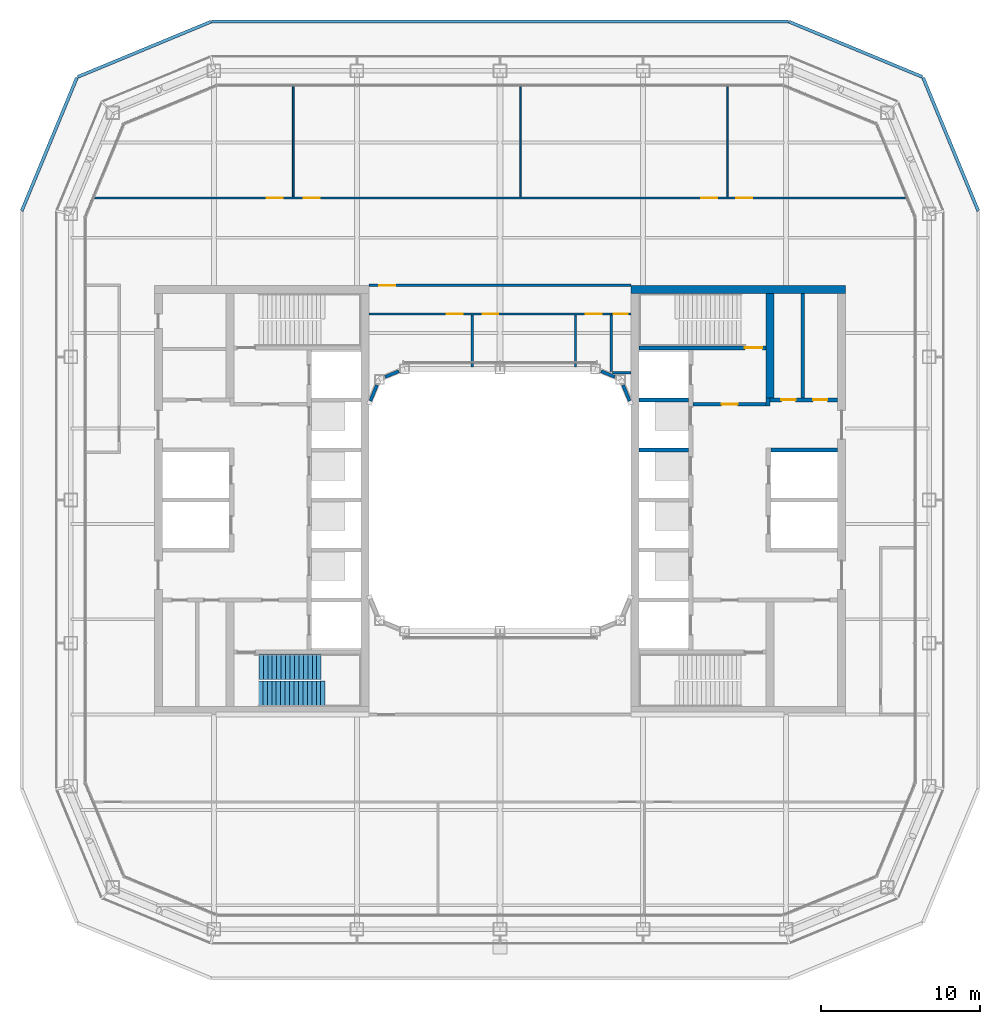
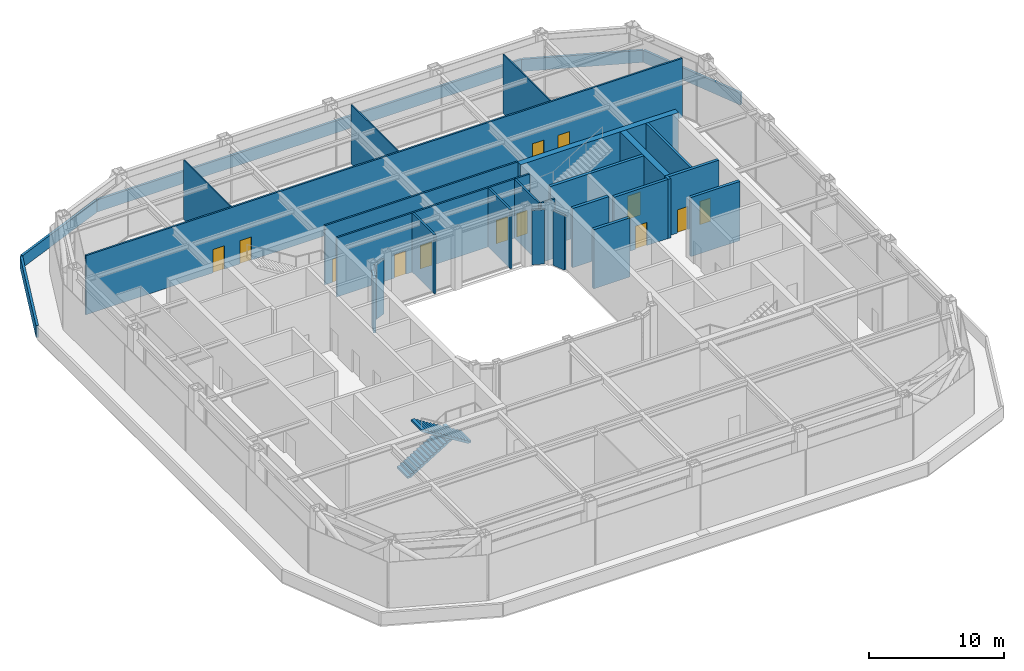
# One storey, part 13 of 19: 30 walls, 13 doors, 2 stair flights, 13 openings, 1 element without a shape of its own.
"""IFC4 building model written with IfcOpenShell, lengths in metres."""

from ifc_helpers import new_model, si_unit, direction, frame, frame_2d, origin, place, context, subcontext, project, spatial, polyline, rectangle, outline, extrude, material, layer, layer_set, type_object, element, fill, aggregate, save


model = new_model("IFC4")

# Units and contexts
model_context = context("Model", 3, precision=1e-05, world=origin(), true_north=direction((0.0, 1.0)))
body_context = subcontext(model_context, "Body", "Model", "MODEL_VIEW")
ifc_project = project(units=[si_unit("LENGTHUNIT", "METRE"), si_unit("AREAUNIT", "SQUARE_METRE"), si_unit("VOLUMEUNIT", "CUBIC_METRE"), si_unit("PLANEANGLEUNIT", "RADIAN"), si_unit("MASSUNIT", "GRAM", prefix="KILO")], contexts=[model_context])

# Site, building, storey
site_placement = place(None, origin())
site = spatial("IfcSite", under=ifc_project, at=site_placement, CompositionType="ELEMENT")
building_placement = place(site_placement, origin())
building = spatial("IfcBuilding", under=site, at=building_placement, Name="Siwar Civic Tower", CompositionType="ELEMENT")
storey_placement = place(building_placement, frame((0.0, 0.0, 187.199951171875)))
storey = spatial("IfcBuildingStorey", under=building, at=storey_placement, Name="L40", CompositionType="ELEMENT", Elevation=187.199951171875)

# Wall
ifc_material_1 = material(Name="Gypsum board on steel studs", Category="steel")
ifc_layer_1 = layer(ifc_material_1, 0.14990234375)
ifc_layer_set_1 = layer_set([ifc_layer_1], Name="Gypsum board on steel studs")
wall_type_1 = type_object("IfcWallType", Name="COMPARTMENT PARTITION 150 EI 60", PredefinedType="PARTITIONING", material=ifc_layer_set_1)
wall_1_placement = place(storey_placement, frame((7.0849609375, 7.9951171875, 0.0), z_axis=(0.0, 0.0, 1.0), x_axis=(1.0, 0.0, 0.0)))
element("IfcWall", 1, at=wall_1_placement, inside=storey, type_object=wall_type_1, Name="L40/wall/P06", PredefinedType="PARTITIONING", context=body_context, shape_type="SweptSolid", body=[
    extrude(rectangle(XDim=1.1650390625, YDim=0.14990234375, at=frame_2d((0.58251953125, 0.0))), origin(), (0.0, 0.0, 1.0), 5.35009765625),
])

# Wall, opening, door
wall_2_placement = place(storey_placement, frame((7.0, 11.699951171875, 0.0), z_axis=(0.0, 0.0, 1.0), x_axis=(1.0, 0.0, 0.0)))
wall_2 = element("IfcWall", 2, at=wall_2_placement, inside=storey, type_object=wall_type_1, Name="L40/wall/P08", PredefinedType="PARTITIONING", context=body_context, shape_type="SweptSolid", body=[
    extrude(rectangle(XDim=1.25, YDim=0.14990234375, at=frame_2d((0.625, 0.0))), origin(), (0.0, 0.0, 1.0), 5.35009765625),
])
opening_1_placement = place(wall_2_placement, frame((0.14990234375, 0.0, 0.0)))
opening_1 = element("IfcOpeningElement", 3, at=opening_1_placement, cuts=wall_2, Name="Opening D4", PredefinedType="OPENING", context=body_context, shape_type="SweptSolid", body=[
    extrude(rectangle(XDim=0.89990234375, YDim=2.10009765625, at=frame_2d((0.449951171875, 1.050048828125))), frame((0.0, 0.0849609375, 0.0), z_axis=(0.0, -1.0, 0.0), x_axis=(1.0, 0.0, 0.0)), (0.0, 0.0, 1.0), 0.169921875),
])
ifc_material_2 = material(Name="Timber, painted", Category="wood")
door_type_1 = type_object("IfcDoorType", Name="DOOR 900 X 2100 FD60", OperationType="SINGLE_SWING_LEFT", PredefinedType="DOOR", material=ifc_material_2)
door_1_placement = place(opening_1_placement, origin())
door_1 = element("IfcDoor", 4, at=door_1_placement, inside=storey, type_object=door_type_1, Name="L40-D13", OperationType="SINGLE_SWING_LEFT", OverallHeight=2.10009765625, OverallWidth=0.89990234375, PredefinedType="DOOR", context=body_context, shape_type="SweptSolid", body=[
    extrude(rectangle(XDim=0.89990234375, YDim=2.10009765625, at=frame_2d((0.449951171875, 1.050048828125))), frame((0.0, 0.02490234375, 0.0), z_axis=(0.0, -1.0, 0.0), x_axis=(1.0, 0.0, 0.0)), (0.0, 0.0, 1.0), 0.050048828125),
])
fill(opening_1, door_1)

# Walls
wall_3_placement = place(storey_placement, frame((7.0, 8.070068359375, 0.0), z_axis=(0.0, 0.0, 1.0), x_axis=(0.0, 1.0, 0.0)))
element("IfcWall", 5, at=wall_3_placement, inside=storey, type_object=wall_type_1, Name="L40/wall/P18", PredefinedType="PARTITIONING", context=body_context, shape_type="SweptSolid", body=[
    extrude(rectangle(XDim=3.554931640625, YDim=0.14990234375, at=frame_2d((1.77734375, 0.0))), origin(), (0.0, 0.0, 1.0), 5.35009765625),
])
ifc_material_3 = material(Name="Gypsum board on steel studs", Category="steel")
ifc_layer_2 = layer(ifc_material_3, 0.199951171875)
ifc_layer_set_2 = layer_set([ifc_layer_2], Name="Gypsum board on steel studs")
wall_type_2 = type_object("IfcWallType", Name="CORE-PARTITION-200", PredefinedType="PARTITIONING", material=ifc_layer_set_2)
wall_4_placement = place(storey_placement, frame((19.050048828125, 6.425048828125, 0.0), z_axis=(0.0, 0.0, 1.0), x_axis=(0.0, 1.0, 0.0)))
element("IfcWall", 6, at=wall_4_placement, inside=storey, type_object=wall_type_2, Name="Core partition E", PredefinedType="PARTITIONING", context=body_context, shape_type="SweptSolid", body=[
    extrude(rectangle(XDim=6.574951171875, YDim=0.199951171875, at=frame_2d((3.28759765625, 0.0))), origin(), (0.0, 0.0, 1.0), 5.35009765625),
])

# Wall, opening, door
ifc_material_4 = material(Name="Concrete C60/75", Category="concrete")
ifc_layer_3 = layer(ifc_material_4, 0.25)
ifc_layer_set_3 = layer_set([ifc_layer_3], Name="Concrete C60/75")
wall_type_3 = type_object("IfcWallType", Name="CORE-WALL-RC250", PredefinedType="SHEAR", material=ifc_layer_set_3)
wall_5_placement = place(storey_placement, frame((12.14990234375, 6.02490234375, 0.0), z_axis=(0.0, 0.0, 1.0), x_axis=(1.0, 0.0, 0.0)))
wall_5 = element("IfcWall", 7, at=wall_5_placement, inside=storey, type_object=wall_type_3, Name="Core wall E", PredefinedType="SHEAR", context=body_context, shape_type="SweptSolid", body=[
    extrude(rectangle(XDim=4.60009765625, YDim=0.25, at=frame_2d((2.300048828125, 0.0))), origin(), (0.0, 0.0, 1.0), 5.35009765625),
])
opening_2_placement = place(wall_5_placement, frame((1.800048828125, 0.0, 0.0)))
opening_2 = element("IfcOpeningElement", 8, at=opening_2_placement, cuts=wall_5, Name="Opening L40-CE01", PredefinedType="OPENING", context=body_context, shape_type="SweptSolid", body=[
    extrude(rectangle(XDim=1.0, YDim=2.10009765625, at=frame_2d((0.5, 1.050048828125))), frame((0.0, 0.135009765625, 0.0), z_axis=(0.0, -1.0, 0.0), x_axis=(1.0, 0.0, 0.0)), (0.0, 0.0, 1.0), 0.27001953125),
])
ifc_material_5 = material(Name="Steel door leaf", Category="steel")
door_type_2 = type_object("IfcDoorType", Name="CORE-DOOR-FD30S", OperationType="SINGLE_SWING_LEFT", PredefinedType="DOOR", material=ifc_material_5)
door_2_placement = place(opening_2_placement, origin())
door_2 = element("IfcDoor", 9, at=door_2_placement, inside=storey, type_object=door_type_2, Name="Firefighting lobby door L40-CE01", OperationType="SINGLE_SWING_RIGHT", OverallHeight=2.10009765625, OverallWidth=1.0, PredefinedType="DOOR", context=body_context, shape_type="SweptSolid", body=[
    extrude(rectangle(XDim=1.0, YDim=2.10009765625, at=frame_2d((0.5, 1.050048828125))), frame((0.0, 0.02490234375, 0.0), z_axis=(0.0, -1.0, 0.0), x_axis=(1.0, 0.0, 0.0)), (0.0, 0.0, 1.0), 0.050048828125),
])
fill(opening_2, door_2)

# Wall
wall_6_placement = place(storey_placement, frame((16.875, 5.89990234375, 0.0), z_axis=(0.0, 0.0, 1.0), x_axis=(0.0, 1.0, 0.0)))
element("IfcWall", 10, at=wall_6_placement, inside=storey, type_object=wall_type_3, Name="Core wall E", PredefinedType="SHEAR", context=body_context, shape_type="SweptSolid", body=[
    extrude(rectangle(XDim=0.525146484375, YDim=0.25, at=frame_2d((0.2626953125, 0.0))), origin(), (0.0, 0.0, 1.0), 5.35009765625),
])

# Wall, openings, doors
wall_7_placement = place(storey_placement, frame((17.0, 6.300048828125, 0.0), z_axis=(0.0, 0.0, 1.0), x_axis=(1.0, 0.0, 0.0)))
wall_7 = element("IfcWall", 11, at=wall_7_placement, inside=storey, type_object=wall_type_3, Name="Core wall E", PredefinedType="SHEAR", context=body_context, shape_type="SweptSolid", body=[
    extrude(rectangle(XDim=4.25, YDim=0.25, at=frame_2d((2.125, 0.0))), origin(), (0.0, 0.0, 1.0), 5.35009765625),
])
opening_3_placement = place(wall_7_placement, frame((0.699951171875, 0.0, 0.0)))
opening_3 = element("IfcOpeningElement", 12, at=opening_3_placement, cuts=wall_7, Name="Opening L40-CE15", PredefinedType="OPENING", context=body_context, shape_type="SweptSolid", body=[
    extrude(rectangle(XDim=0.89990234375, YDim=2.10009765625, at=frame_2d((0.449951171875, 1.050048828125))), frame((0.0, 0.135009765625, 0.0), z_axis=(0.0, -1.0, 0.0), x_axis=(1.0, 0.0, 0.0)), (0.0, 0.0, 1.0), 0.27001953125),
])
opening_4_placement = place(wall_7_placement, frame((2.699951171875, 0.0, 0.0)))
opening_4 = element("IfcOpeningElement", 13, at=opening_4_placement, cuts=wall_7, Name="Opening L40-CE16", PredefinedType="OPENING", context=body_context, shape_type="SweptSolid", body=[
    extrude(rectangle(XDim=0.89990234375, YDim=2.10009765625, at=frame_2d((0.449951171875, 1.050048828125))), frame((0.0, 0.135009765625, 0.0), z_axis=(0.0, -1.0, 0.0), x_axis=(1.0, 0.0, 0.0)), (0.0, 0.0, 1.0), 0.27001953125),
])
ifc_material_6 = material(Name="Steel door leaf", Category="steel")
door_type_3 = type_object("IfcDoorType", Name="CORE-DOOR-ROOM", OperationType="SINGLE_SWING_LEFT", PredefinedType="DOOR", material=ifc_material_6)
door_3_placement = place(opening_3_placement, origin())
door_3 = element("IfcDoor", 14, at=door_3_placement, inside=storey, type_object=door_type_3, Name="Core room door L40-CE15", OperationType="SINGLE_SWING_LEFT", OverallHeight=2.10009765625, OverallWidth=0.89990234375, PredefinedType="DOOR", context=body_context, shape_type="SweptSolid", body=[
    extrude(rectangle(XDim=0.89990234375, YDim=2.10009765625, at=frame_2d((0.449951171875, 1.050048828125))), frame((0.0, 0.02490234375, 0.0), z_axis=(0.0, -1.0, 0.0), x_axis=(1.0, 0.0, 0.0)), (0.0, 0.0, 1.0), 0.050048828125),
])
fill(opening_3, door_3)
door_4_placement = place(opening_4_placement, origin())
door_4 = element("IfcDoor", 15, at=door_4_placement, inside=storey, type_object=door_type_3, Name="Core room door L40-CE16", OperationType="SINGLE_SWING_RIGHT", OverallHeight=2.10009765625, OverallWidth=0.89990234375, PredefinedType="DOOR", context=body_context, shape_type="SweptSolid", body=[
    extrude(rectangle(XDim=0.89990234375, YDim=2.10009765625, at=frame_2d((0.449951171875, 1.050048828125))), frame((0.0, 0.02490234375, 0.0), z_axis=(0.0, -1.0, 0.0), x_axis=(1.0, 0.0, 0.0)), (0.0, 0.0, 1.0), 0.050048828125),
])
fill(opening_4, door_4)

# Walls
wall_8_placement = place(storey_placement, frame((17.050048828125, 3.14990234375, 0.0), z_axis=(0.0, 0.0, 1.0), x_axis=(1.0, 0.0, 0.0)))
element("IfcWall", 16, at=wall_8_placement, inside=storey, type_object=wall_type_3, Name="Core wall E", PredefinedType="SHEAR", context=body_context, shape_type="SweptSolid", body=[
    extrude(rectangle(XDim=4.199951171875, YDim=0.25, at=frame_2d((2.10009765625, 0.0))), origin(), (0.0, 0.0, 1.0), 5.35009765625),
])
for number, where, z_axis, x_axis, name in (
    (17, (8.75, 3.14990234375, 0.0), (0.0, 0.0, 1.0), (1.0, 0.0, 0.0), "Core wall E"),
    (18, (8.75, 6.300048828125, 0.0), (0.0, 0.0, 1.0), (1.0, 0.0, 0.0), "Core wall E"),
):
    element("IfcWall", number, at=place(storey_placement, frame(where, z_axis=z_axis, x_axis=x_axis)), inside=storey, type_object=wall_type_3, Name=name, PredefinedType="SHEAR", context=body_context, shape_type="SweptSolid", body=[
        extrude(rectangle(XDim=3.10009765625, YDim=0.25, at=frame_2d((1.550048828125, 0.0))), origin(), (0.0, 0.0, 1.0), 5.35009765625),
    ])

# Wall, opening, door
wall_9_placement = place(storey_placement, frame((8.75, 9.574951171875, 0.0), z_axis=(0.0, 0.0, 1.0), x_axis=(1.0, 0.0, 0.0)))
wall_9 = element("IfcWall", 19, at=wall_9_placement, inside=storey, type_object=wall_type_3, Name="Core wall E", PredefinedType="SHEAR", context=body_context, shape_type="SweptSolid", body=[
    extrude(rectangle(XDim=8.0, YDim=0.25, at=frame_2d((4.0, 0.0))), origin(), (0.0, 0.0, 1.0), 5.35009765625),
])
opening_5_placement = place(wall_9_placement, frame((6.64990234375, 0.0, 0.0)))
opening_5 = element("IfcOpeningElement", 20, at=opening_5_placement, cuts=wall_9, Name="Opening L40-CE03", PredefinedType="OPENING", context=body_context, shape_type="SweptSolid", body=[
    extrude(rectangle(XDim=1.10009765625, YDim=2.10009765625, at=frame_2d((0.550048828125, 1.050048828125))), frame((0.0, 0.135009765625, 0.0), z_axis=(0.0, -1.0, 0.0), x_axis=(1.0, 0.0, 0.0)), (0.0, 0.0, 1.0), 0.27001953125),
])
ifc_material_7 = material(Name="Steel door leaf", Category="steel")
door_type_4 = type_object("IfcDoorType", Name="CORE-DOOR-FD60S", OperationType="SINGLE_SWING_LEFT", PredefinedType="DOOR", material=ifc_material_7)
door_5_placement = place(opening_5_placement, origin())
door_5 = element("IfcDoor", 21, at=door_5_placement, inside=storey, type_object=door_type_4, Name="Stair door L40-CE03", OperationType="SINGLE_SWING_LEFT", OverallHeight=2.10009765625, OverallWidth=1.10009765625, PredefinedType="DOOR", context=body_context, shape_type="SweptSolid", body=[
    extrude(rectangle(XDim=1.10009765625, YDim=2.10009765625, at=frame_2d((0.550048828125, 1.050048828125))), frame((0.0, 0.02490234375, 0.0), z_axis=(0.0, -1.0, 0.0), x_axis=(1.0, 0.0, 0.0)), (0.0, 0.0, 1.0), 0.050048828125),
])
fill(opening_5, door_5)

# Walls
ifc_material_8 = material(Name="Concrete C60/75", Category="concrete")
ifc_layer_4 = layer(ifc_material_8, 0.5)
ifc_layer_set_4 = layer_set([ifc_layer_4], Name="Concrete C60/75")
wall_type_4 = type_object("IfcWallType", Name="CORE-WALL-RC500", PredefinedType="SHEAR", material=ifc_layer_set_4)
wall_10_placement = place(storey_placement, frame((17.0, 6.425048828125, 0.0), z_axis=(0.0, 0.0, 1.0), x_axis=(0.0, 1.0, 0.0)))
element("IfcWall", 22, at=wall_10_placement, inside=storey, type_object=wall_type_4, Name="Core wall E", PredefinedType="SHEAR", context=body_context, shape_type="SweptSolid", body=[
    extrude(rectangle(XDim=6.574951171875, YDim=0.5, at=frame_2d((3.28759765625, 0.0))), origin(), (0.0, 0.0, 1.0), 5.35009765625),
])
wall_11_placement = place(storey_placement, frame((8.25, 13.25, 0.0), z_axis=(0.0, 0.0, 1.0), x_axis=(1.0, 0.0, 0.0)))
element("IfcWall", 23, at=wall_11_placement, inside=storey, type_object=wall_type_4, Name="Core wall E", PredefinedType="SHEAR", context=body_context, shape_type="SweptSolid", body=[
    extrude(rectangle(XDim=13.5, YDim=0.5, at=frame_2d((6.75, 0.0))), origin(), (0.0, 0.0, 1.0), 5.35009765625),
])

# Wall, openings, doors
ifc_material_9 = material(Name="Gypsum board on steel studs", Category="steel")
ifc_layer_5 = layer(ifc_material_9, 0.14990234375)
ifc_layer_set_5 = layer_set([ifc_layer_5], Name="Gypsum board on steel studs")
wall_type_5 = type_object("IfcWallType", Name="CORRIDOR PARTITION 150 EI 30", PredefinedType="PARTITIONING", material=ifc_layer_set_5)
wall_12_placement = place(storey_placement, frame((-8.25, 11.699951171875, 0.0), z_axis=(0.0, 0.0, 1.0), x_axis=(1.0, 0.0, 0.0)))
wall_12 = element("IfcWall", 24, at=wall_12_placement, inside=storey, type_object=wall_type_5, Name="L40/wall/P07", PredefinedType="PARTITIONING", context=body_context, shape_type="SweptSolid", body=[
    extrude(rectangle(XDim=15.25, YDim=0.14990234375, at=frame_2d((7.625, 0.0))), origin(), (0.0, 0.0, 1.0), 5.35009765625),
])
opening_6_placement = place(wall_12_placement, frame((4.89990234375, 0.0, 0.0)))
opening_6 = element("IfcOpeningElement", 25, at=opening_6_placement, cuts=wall_12, Name="Opening D3", PredefinedType="OPENING", context=body_context, shape_type="SweptSolid", body=[
    extrude(rectangle(XDim=1.0, YDim=2.10009765625, at=frame_2d((0.5, 1.050048828125))), frame((0.0, 0.0849609375, 0.0), z_axis=(0.0, -1.0, 0.0), x_axis=(1.0, 0.0, 0.0)), (0.0, 0.0, 1.0), 0.169921875),
])
opening_7_placement = place(wall_12_placement, frame((7.14990234375, 0.0, 0.0)))
opening_7 = element("IfcOpeningElement", 26, at=opening_7_placement, cuts=wall_12, Name="Opening D3", PredefinedType="OPENING", context=body_context, shape_type="SweptSolid", body=[
    extrude(rectangle(XDim=1.0, YDim=2.10009765625, at=frame_2d((0.5, 1.050048828125))), frame((0.0, 0.0849609375, 0.0), z_axis=(0.0, -1.0, 0.0), x_axis=(1.0, 0.0, 0.0)), (0.0, 0.0, 1.0), 0.169921875),
])
opening_8_placement = place(wall_12_placement, frame((13.64990234375, 0.0, 0.0)))
opening_8 = element("IfcOpeningElement", 27, at=opening_8_placement, cuts=wall_12, Name="Opening D3", PredefinedType="OPENING", context=body_context, shape_type="SweptSolid", body=[
    extrude(rectangle(XDim=1.0, YDim=2.10009765625, at=frame_2d((0.5, 1.050048828125))), frame((0.0, 0.0849609375, 0.0), z_axis=(0.0, -1.0, 0.0), x_axis=(1.0, 0.0, 0.0)), (0.0, 0.0, 1.0), 0.169921875),
])
ifc_material_10 = material(Name="Timber, painted", Category="wood")
door_type_5 = type_object("IfcDoorType", Name="DOOR 1000 X 2100 WC", OperationType="SINGLE_SWING_LEFT", PredefinedType="DOOR", material=ifc_material_10)
door_6_placement = place(opening_6_placement, origin())
door_6 = element("IfcDoor", 28, at=door_6_placement, inside=storey, type_object=door_type_5, Name="L40-D10", OperationType="SINGLE_SWING_RIGHT", OverallHeight=2.10009765625, OverallWidth=1.0, PredefinedType="DOOR", context=body_context, shape_type="SweptSolid", body=[
    extrude(rectangle(XDim=1.0, YDim=2.10009765625, at=frame_2d((0.5, 1.050048828125))), frame((0.0, 0.02490234375, 0.0), z_axis=(0.0, -1.0, 0.0), x_axis=(1.0, 0.0, 0.0)), (0.0, 0.0, 1.0), 0.050048828125),
])
fill(opening_6, door_6)
door_7_placement = place(opening_7_placement, origin())
door_7 = element("IfcDoor", 29, at=door_7_placement, inside=storey, type_object=door_type_5, Name="L40-D11", OperationType="SINGLE_SWING_LEFT", OverallHeight=2.10009765625, OverallWidth=1.0, PredefinedType="DOOR", context=body_context, shape_type="SweptSolid", body=[
    extrude(rectangle(XDim=1.0, YDim=2.10009765625, at=frame_2d((0.5, 1.050048828125))), frame((0.0, 0.02490234375, 0.0), z_axis=(0.0, -1.0, 0.0), x_axis=(1.0, 0.0, 0.0)), (0.0, 0.0, 1.0), 0.050048828125),
])
fill(opening_7, door_7)
door_8_placement = place(opening_8_placement, origin())
door_8 = element("IfcDoor", 30, at=door_8_placement, inside=storey, type_object=door_type_5, Name="L40-D12", OperationType="SINGLE_SWING_RIGHT", OverallHeight=2.10009765625, OverallWidth=1.0, PredefinedType="DOOR", context=body_context, shape_type="SweptSolid", body=[
    extrude(rectangle(XDim=1.0, YDim=2.10009765625, at=frame_2d((0.5, 1.050048828125))), frame((0.0, 0.02490234375, 0.0), z_axis=(0.0, -1.0, 0.0), x_axis=(1.0, 0.0, 0.0)), (0.0, 0.0, 1.0), 0.050048828125),
])
fill(opening_8, door_8)

# Wall, opening, door
wall_13_placement = place(storey_placement, frame((-8.25, 13.5, 0.0), z_axis=(0.0, 0.0, 1.0), x_axis=(1.0, 0.0, 0.0)))
wall_13 = element("IfcWall", 31, at=wall_13_placement, inside=storey, type_object=wall_type_5, Name="L40/wall/P09", PredefinedType="PARTITIONING", context=body_context, shape_type="SweptSolid", body=[
    extrude(rectangle(XDim=16.5, YDim=0.14990234375, at=frame_2d((8.25, 0.0))), origin(), (0.0, 0.0, 1.0), 5.35009765625),
])
opening_9_placement = place(wall_13_placement, frame((0.64990234375, 0.0, 0.0)))
opening_9 = element("IfcOpeningElement", 32, at=opening_9_placement, cuts=wall_13, Name="Opening D1", PredefinedType="OPENING", context=body_context, shape_type="SweptSolid", body=[
    extrude(rectangle(XDim=1.0, YDim=2.10009765625, at=frame_2d((0.5, 1.050048828125))), frame((0.0, 0.0849609375, 0.0), z_axis=(0.0, -1.0, 0.0), x_axis=(1.0, 0.0, 0.0)), (0.0, 0.0, 1.0), 0.169921875),
])
ifc_material_11 = material(Name="Timber, painted", Category="wood")
door_type_6 = type_object("IfcDoorType", Name="DOOR 1000 X 2100 FD30", OperationType="SINGLE_SWING_LEFT", PredefinedType="DOOR", material=ifc_material_11)
door_9_placement = place(opening_9_placement, origin())
door_9 = element("IfcDoor", 33, at=door_9_placement, inside=storey, type_object=door_type_6, Name="L40-D09", OperationType="SINGLE_SWING_LEFT", OverallHeight=2.10009765625, OverallWidth=1.0, PredefinedType="DOOR", context=body_context, shape_type="SweptSolid", body=[
    extrude(rectangle(XDim=1.0, YDim=2.10009765625, at=frame_2d((0.5, 1.050048828125))), frame((0.0, 0.02490234375, 0.0), z_axis=(0.0, -1.0, 0.0), x_axis=(1.0, 0.0, 0.0)), (0.0, 0.0, 1.0), 0.050048828125),
])
fill(opening_9, door_9)

# Wall, openings, doors
wall_14_placement = place(storey_placement, frame((-25.513916015625, 19.0, 0.0), z_axis=(0.0, 0.0, 1.0), x_axis=(1.0, 0.0, 0.0)))
wall_14 = element("IfcWall", 34, at=wall_14_placement, inside=storey, type_object=wall_type_5, Name="L40/wall/P11", PredefinedType="PARTITIONING", context=body_context, shape_type="SweptSolid", body=[
    extrude(rectangle(XDim=51.02783203125, YDim=0.14990234375, at=frame_2d((25.513916015625, 0.0))), origin(), (0.0, 0.0, 1.0), 5.35009765625),
])
opening_10_placement = place(wall_14_placement, frame((10.85400390625, 0.0, 0.0)))
opening_10 = element("IfcOpeningElement", 35, at=opening_10_placement, cuts=wall_14, Name="Opening D1", PredefinedType="OPENING", context=body_context, shape_type="SweptSolid", body=[
    extrude(rectangle(XDim=1.0, YDim=2.10009765625, at=frame_2d((0.5, 1.050048828125))), frame((0.0, 0.0849609375, 0.0), z_axis=(0.0, -1.0, 0.0), x_axis=(1.0, 0.0, 0.0)), (0.0, 0.0, 1.0), 0.169921875),
])
opening_11_placement = place(wall_14_placement, frame((13.1640625, 0.0, 0.0)))
opening_11 = element("IfcOpeningElement", 36, at=opening_11_placement, cuts=wall_14, Name="Opening D1", PredefinedType="OPENING", context=body_context, shape_type="SweptSolid", body=[
    extrude(rectangle(XDim=1.0, YDim=2.10009765625, at=frame_2d((0.5, 1.050048828125))), frame((0.0, 0.0849609375, 0.0), z_axis=(0.0, -1.0, 0.0), x_axis=(1.0, 0.0, 0.0)), (0.0, 0.0, 1.0), 0.169921875),
])
opening_12_placement = place(wall_14_placement, frame((38.174072265625, 0.0, 0.0)))
opening_12 = element("IfcOpeningElement", 37, at=opening_12_placement, cuts=wall_14, Name="Opening D1", PredefinedType="OPENING", context=body_context, shape_type="SweptSolid", body=[
    extrude(rectangle(XDim=1.0, YDim=2.10009765625, at=frame_2d((0.5, 1.050048828125))), frame((0.0, 0.0849609375, 0.0), z_axis=(0.0, -1.0, 0.0), x_axis=(1.0, 0.0, 0.0)), (0.0, 0.0, 1.0), 0.169921875),
])
opening_13_placement = place(wall_14_placement, frame((40.3779296875, 0.0, 0.0)))
opening_13 = element("IfcOpeningElement", 38, at=opening_13_placement, cuts=wall_14, Name="Opening D1", PredefinedType="OPENING", context=body_context, shape_type="SweptSolid", body=[
    extrude(rectangle(XDim=1.0, YDim=2.10009765625, at=frame_2d((0.5, 1.050048828125))), frame((0.0, 0.0849609375, 0.0), z_axis=(0.0, -1.0, 0.0), x_axis=(1.0, 0.0, 0.0)), (0.0, 0.0, 1.0), 0.169921875),
])
door_10_placement = place(opening_10_placement, origin())
door_10 = element("IfcDoor", 39, at=door_10_placement, inside=storey, type_object=door_type_6, Name="L40-D01", OperationType="SINGLE_SWING_LEFT", OverallHeight=2.10009765625, OverallWidth=1.0, PredefinedType="DOOR", context=body_context, shape_type="SweptSolid", body=[
    extrude(rectangle(XDim=1.0, YDim=2.10009765625, at=frame_2d((0.5, 1.050048828125))), frame((0.0, 0.02490234375, 0.0), z_axis=(0.0, -1.0, 0.0), x_axis=(1.0, 0.0, 0.0)), (0.0, 0.0, 1.0), 0.050048828125),
])
fill(opening_10, door_10)
door_11_placement = place(opening_11_placement, origin())
door_11 = element("IfcDoor", 40, at=door_11_placement, inside=storey, type_object=door_type_6, Name="L40-D02", OperationType="SINGLE_SWING_RIGHT", OverallHeight=2.10009765625, OverallWidth=1.0, PredefinedType="DOOR", context=body_context, shape_type="SweptSolid", body=[
    extrude(rectangle(XDim=1.0, YDim=2.10009765625, at=frame_2d((0.5, 1.050048828125))), frame((0.0, 0.02490234375, 0.0), z_axis=(0.0, -1.0, 0.0), x_axis=(1.0, 0.0, 0.0)), (0.0, 0.0, 1.0), 0.050048828125),
])
fill(opening_11, door_11)
door_12_placement = place(opening_12_placement, origin())
door_12 = element("IfcDoor", 41, at=door_12_placement, inside=storey, type_object=door_type_6, Name="L40-D03", OperationType="SINGLE_SWING_LEFT", OverallHeight=2.10009765625, OverallWidth=1.0, PredefinedType="DOOR", context=body_context, shape_type="SweptSolid", body=[
    extrude(rectangle(XDim=1.0, YDim=2.10009765625, at=frame_2d((0.5, 1.050048828125))), frame((0.0, 0.02490234375, 0.0), z_axis=(0.0, -1.0, 0.0), x_axis=(1.0, 0.0, 0.0)), (0.0, 0.0, 1.0), 0.050048828125),
])
fill(opening_12, door_12)
door_13_placement = place(opening_13_placement, origin())
door_13 = element("IfcDoor", 42, at=door_13_placement, inside=storey, type_object=door_type_6, Name="L40-D04", OperationType="SINGLE_SWING_RIGHT", OverallHeight=2.10009765625, OverallWidth=1.0, PredefinedType="DOOR", context=body_context, shape_type="SweptSolid", body=[
    extrude(rectangle(XDim=1.0, YDim=2.10009765625, at=frame_2d((0.5, 1.050048828125))), frame((0.0, 0.02490234375, 0.0), z_axis=(0.0, -1.0, 0.0), x_axis=(1.0, 0.0, 0.0)), (0.0, 0.0, 1.0), 0.050048828125),
])
fill(opening_13, door_13)

# Walls
for number, where, z_axis, x_axis, name in (
    (43, (-1.75, 8.3701171875, 0.0), (0.0, 0.0, 1.0), (0.0, 1.0, 0.0), "L40/wall/P15"),
    (44, (4.75, 8.3701171875, 0.0), (0.0, 0.0, 1.0), (0.0, 1.0, 0.0), "L40/wall/P17"),
):
    element("IfcWall", number, at=place(storey_placement, frame(where, z_axis=z_axis, x_axis=x_axis)), inside=storey, type_object=wall_type_5, Name=name, PredefinedType="PARTITIONING", context=body_context, shape_type="SweptSolid", body=[
        extrude(rectangle(XDim=3.2548828125, YDim=0.14990234375, at=frame_2d((1.62744140625, 0.0))), origin(), (0.0, 0.0, 1.0), 5.35009765625),
    ])
ifc_material_12 = material(Name="Aluminium clad insulated panel", Category="aluminium")
ifc_layer_6 = layer(ifc_material_12, 0.199951171875)
ifc_layer_set_6 = layer_set([ifc_layer_6], Name="Aluminium clad insulated panel")
wall_type_6 = type_object("IfcWallType", Name="ENV-PARAPET", PredefinedType="PARAPET", material=ifc_layer_set_6)
for number, where, z_axis, x_axis, name in (
    (45, (30.09228515625, 18.1875, 0.0), (0.0, 0.0, 1.0), (-0.382682235321, 0.923880028342, 0.0), "Parapet L39 roof 1.6"),
    (46, (26.567138671875, 26.621337890625, 0.0), (0.0, 0.0, 1.0), (-0.923880028342, 0.382682235321, 0.0), "Parapet L39 roof 1.7"),
):
    element("IfcWall", number, at=place(storey_placement, frame(where, z_axis=z_axis, x_axis=x_axis)), inside=storey, type_object=wall_type_6, Name=name, PredefinedType="PARAPET", context=body_context, shape_type="SweptSolid", body=[
        extrude(rectangle(XDim=9.070068359375, YDim=0.199951171875, at=frame_2d((4.53515625, 0.0))), origin(), (0.0, 0.0, 1.0), 1.10009765625),
    ])
wall_15_placement = place(storey_placement, frame((18.149169921875, 30.10009765625, 0.0), z_axis=(0.0, 0.0, 1.0), x_axis=(-1.0, 0.0, 0.0)))
element("IfcWall", 47, at=wall_15_placement, inside=storey, type_object=wall_type_6, Name="Parapet L39 roof 1.8", PredefinedType="PARAPET", context=body_context, shape_type="SweptSolid", body=[
    extrude(rectangle(XDim=36.29833984375, YDim=0.199951171875, at=frame_2d((18.149169921875, 0.0))), origin(), (0.0, 0.0, 1.0), 1.10009765625),
])
for number, where, z_axis, x_axis, name in (
    (48, (-18.1875, 30.09228515625, 0.0), (0.0, 0.0, 1.0), (-0.923880028342, -0.382682235321, 0.0), "Parapet L39 roof 1.9"),
    (49, (-26.621337890625, 26.567138671875, 0.0), (0.0, 0.0, 1.0), (-0.382682235321, -0.923880028342, 0.0), "Parapet L39 roof 1.10"),
):
    element("IfcWall", number, at=place(storey_placement, frame(where, z_axis=z_axis, x_axis=x_axis)), inside=storey, type_object=wall_type_6, Name=name, PredefinedType="PARAPET", context=body_context, shape_type="SweptSolid", body=[
        extrude(rectangle(XDim=9.070068359375, YDim=0.199951171875, at=frame_2d((4.53515625, 0.0))), origin(), (0.0, 0.0, 1.0), 1.10009765625),
    ])
ifc_material_13 = material(Name="Aluminium clad insulated panel", Category="aluminium")
ifc_layer_7 = layer(ifc_material_13, 0.199951171875)
ifc_layer_set_7 = layer_set([ifc_layer_7], Name="Aluminium clad insulated panel")
wall_type_7 = type_object("IfcWallType", Name="ENV-WALL-WELL", PredefinedType="STANDARD", material=ifc_layer_set_7)
wall_16_placement = place(storey_placement, frame((8.154296875, 6.23095703125, 0.0), z_axis=(0.0, 0.0, 1.0), x_axis=(-0.382704496366, 0.923870807235, 0.0)))
element("IfcWall", 50, at=wall_16_placement, inside=storey, type_object=wall_type_7, Name="Light well corner wall NE1", PredefinedType="STANDARD", context=body_context, shape_type="SweptSolid", body=[
    extrude(rectangle(XDim=1.080078125, YDim=0.199951171875, at=frame_2d((0.5400390625, 0.0))), origin(), (0.0, 0.0, 1.0), 4.91796875),
])
for number, where, z_axis, x_axis, name in (
    (51, (7.228759765625, 7.740966796875, 0.0), (0.0, 0.0, 1.0), (-0.923829670615, 0.382803787458, 0.0), "Light well corner wall NE2"),
    (52, (-6.362060546875, 8.10009765625, 0.0), (0.0, 0.0, 1.0), (-0.923829670615, -0.382803787458, 0.0), "Light well corner wall NW1"),
):
    element("IfcWall", number, at=place(storey_placement, frame(where, z_axis=z_axis, x_axis=x_axis)), inside=storey, type_object=wall_type_7, Name=name, PredefinedType="STANDARD", context=body_context, shape_type="SweptSolid", body=[
        extrude(rectangle(XDim=0.938232421875, YDim=0.199951171875, at=frame_2d((0.46923828125, 0.0))), origin(), (0.0, 0.0, 1.0), 4.91796875),
    ])
wall_17_placement = place(storey_placement, frame((-7.740966796875, 7.228759765625, 0.0), z_axis=(0.0, 0.0, 1.0), x_axis=(-0.382704496366, -0.923870807235, 0.0)))
element("IfcWall", 53, at=wall_17_placement, inside=storey, type_object=wall_type_7, Name="Light well corner wall NW2", PredefinedType="STANDARD", context=body_context, shape_type="SweptSolid", body=[
    extrude(rectangle(XDim=1.080078125, YDim=0.199951171875, at=frame_2d((0.5400390625, 0.0))), origin(), (0.0, 0.0, 1.0), 4.91796875),
])
ifc_material_14 = material(Name="Gypsum board on steel studs", Category="steel")
ifc_layer_8 = layer(ifc_material_14, 0.10009765625)
ifc_layer_set_8 = layer_set([ifc_layer_8], Name="Gypsum board on steel studs")
wall_type_8 = type_object("IfcWallType", Name="PARTITION 100 GYPSUM", PredefinedType="PARTITIONING", material=ifc_layer_set_8)
for number, where, z_axis, x_axis, name in (
    (54, (-13.010009765625, 19.074951171875, 0.0), (0.0, 0.0, 1.0), (0.0, 1.0, 0.0), "L40/wall/P13"),
    (55, (1.300048828125, 19.074951171875, 0.0), (0.0, 0.0, 1.0), (0.0, 1.0, 0.0), "L40/wall/P16"),
    (56, (14.31005859375, 19.074951171875, 0.0), (0.0, 0.0, 1.0), (0.0, 1.0, 0.0), "L40/wall/P20"),
):
    element("IfcWall", number, at=place(storey_placement, frame(where, z_axis=z_axis, x_axis=x_axis)), inside=storey, type_object=wall_type_8, Name=name, PredefinedType="PARTITIONING", context=body_context, shape_type="SweptSolid", body=[
        extrude(rectangle(XDim=6.93505859375, YDim=0.10009765625, at=frame_2d((3.467529296875, 0.0))), origin(), (0.0, 0.0, 1.0), 5.35009765625),
    ])

# Stair, stair flights
ifc_material_15 = material(Name="Concrete C40/50", Category="concrete")
stair_type = type_object("IfcStairType", Name="CORE-STAIR", PredefinedType="TWO_STRAIGHT_RUN_STAIR", material=ifc_material_15)
stair_placement = place(storey_placement, origin())
stair = element("IfcStair", 57, at=stair_placement, inside=storey, type_object=stair_type, Name="Exit stair ST2", PredefinedType="TWO_STRAIGHT_RUN_STAIR")
ifc_material_16 = material(Name="Concrete C40/50", Category="concrete")
stair_flight_type = type_object("IfcStairFlightType", Name="CORE-STAIR-FLIGHT", PredefinedType="STRAIGHT", material=ifc_material_16)
stair_flight_1_placement = place(storey_placement, frame((-15.449951171875, -10.5, 0.0), z_axis=(0.0, 0.0, 1.0), x_axis=(1.0, 0.0, 0.0)))
stair_flight_1 = element("IfcStairFlight", 58, at=stair_flight_1_placement, type_object=stair_flight_type, Name="ST2 flight 1", NumberOfRisers=16, NumberOfTreads=15, PredefinedType="STRAIGHT", RiserHeight=0.171875, TreadLength=0.28, context=body_context, shape_type="SweptSolid", body=[
    extrude(outline(polyline([(0.0, 0.0), (0.0, 0.171875), (0.280029296875, 0.171875), (0.280029296875, 0.34375), (0.56005859375, 0.34375), (0.56005859375, 0.515625), (0.840087890625, 0.515625), (0.840087890625, 0.6875), (1.1201171875, 0.6875), (1.1201171875, 0.859375), (1.39990234375, 0.859375), (1.39990234375, 1.03125), (1.679931640625, 1.03125), (1.679931640625, 1.203125), (1.9599609375, 1.203125), (1.9599609375, 1.375), (2.239990234375, 1.375), (2.239990234375, 1.546875), (2.52001953125, 1.546875), (2.52001953125, 1.71875), (2.800048828125, 1.71875), (2.800048828125, 1.890625), (3.080078125, 1.890625), (3.080078125, 2.0625), (3.360107421875, 2.0625), (3.360107421875, 2.234375), (3.639892578125, 2.234375), (3.639892578125, 2.40625), (3.919921875, 2.40625), (3.919921875, 2.578125), (4.199951171875, 2.578125), (4.199951171875, 2.75), (4.199951171875, 2.40234375), (0.28662109375, 0.0), (0.0, 0.0)])), frame((0.0, 0.800048828125, 0.0), z_axis=(0.0, -1.0, 0.0), x_axis=(1.0, 0.0, 0.0)), (0.0, 0.0, 1.0), 1.60009765625),
])
stair_flight_2_placement = place(storey_placement, frame((-11.0, -12.199951171875, 2.75), z_axis=(0.0, 0.0, 1.0), x_axis=(-1.0, 0.0, 0.0)))
stair_flight_2 = element("IfcStairFlight", 59, at=stair_flight_2_placement, type_object=stair_flight_type, Name="ST2 flight 2", NumberOfRisers=16, NumberOfTreads=15, PredefinedType="STRAIGHT", RiserHeight=0.171875, TreadLength=0.28, context=body_context, shape_type="SweptSolid", body=[
    extrude(outline(polyline([(0.0, 0.0), (0.0, 0.171875), (0.280029296875, 0.171875), (0.280029296875, 0.34375), (0.56005859375, 0.34375), (0.56005859375, 0.515625), (0.840087890625, 0.515625), (0.840087890625, 0.6875), (1.1201171875, 0.6875), (1.1201171875, 0.859375), (1.39990234375, 0.859375), (1.39990234375, 1.03125), (1.679931640625, 1.03125), (1.679931640625, 1.203125), (1.9599609375, 1.203125), (1.9599609375, 1.375), (2.239990234375, 1.375), (2.239990234375, 1.546875), (2.52001953125, 1.546875), (2.52001953125, 1.71875), (2.800048828125, 1.71875), (2.800048828125, 1.890625), (3.080078125, 1.890625), (3.080078125, 2.0625), (3.360107421875, 2.0625), (3.360107421875, 2.234375), (3.639892578125, 2.234375), (3.639892578125, 2.40625), (3.919921875, 2.40625), (3.919921875, 2.578125), (4.199951171875, 2.578125), (4.199951171875, 2.75), (4.199951171875, 2.40234375), (0.28662109375, 0.0), (0.0, 0.0)])), frame((0.0, 0.800048828125, 0.0), z_axis=(0.0, -1.0, 0.0), x_axis=(1.0, 0.0, 0.0)), (0.0, 0.0, 1.0), 1.60009765625),
])
aggregate(stair, [stair_flight_1, stair_flight_2])

save(model, "model.ifc")
